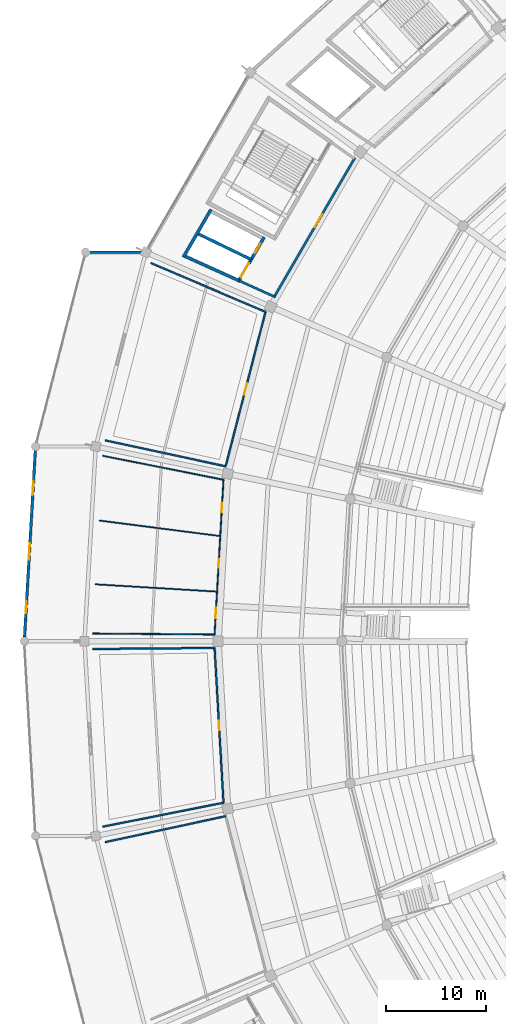
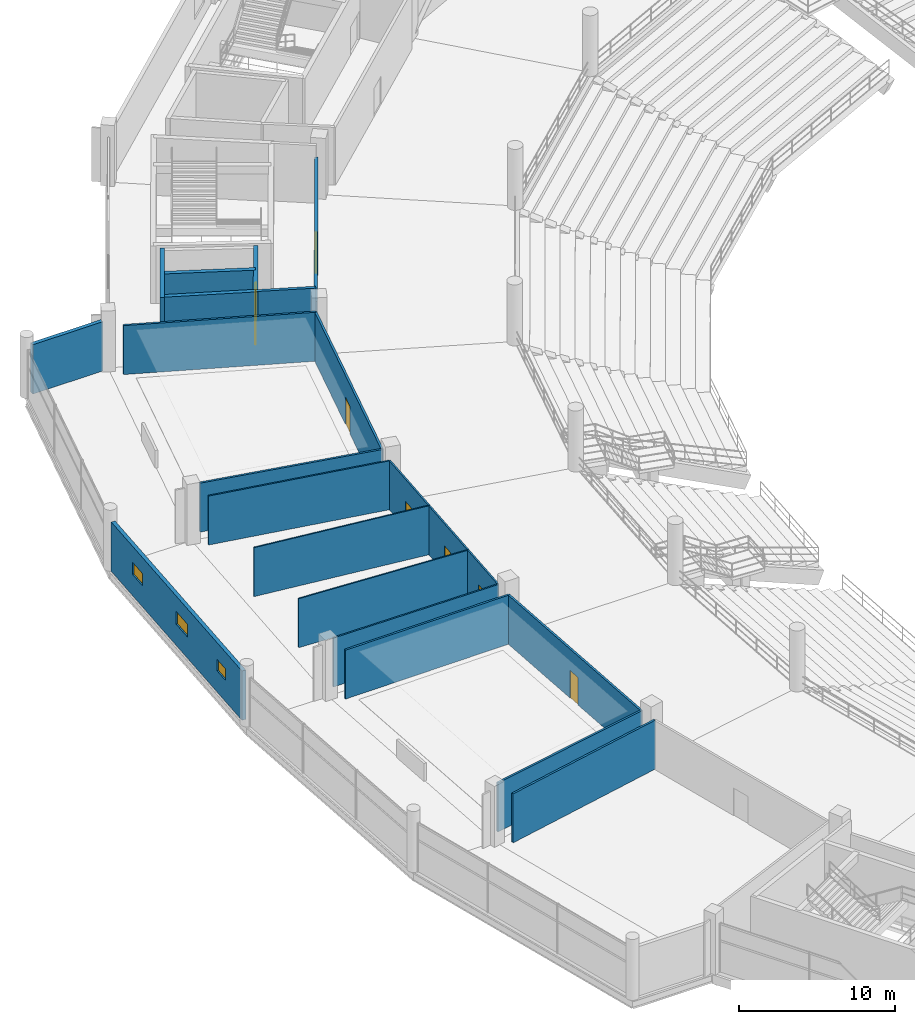
# One storey, part 103 of 156: 20 walls, 8 doors, 3 windows, 11 openings.
"""IFC4 building model written with IfcOpenShell, lengths in metres."""

import ifcopenshell
import ifcopenshell.guid

model = None  # the IFC model being written
_history = None  # IfcOwnerHistory: only IFC2X3 demands one
_inside = {}  # id of a spatial element -> (the spatial element, [elements in it])
_under = {}  # id of a project, library or spatial element -> (it, [spatial elements below it])
_declared = {}  # id of a project -> (the project, [libraries it declares])
_typed = {}  # id of a type object -> (the type object, [elements of that type])
_made_of = {}  # id of a material, layer set ... -> (it, [elements and type objects made of it])


def new_model(schema):
    """Start an empty IFC model of exactly this schema.

    Asked for "IFC4X3", IfcOpenShell would pick the latest addendum, in which some entities
    have other attributes; the version numbers below select the first issue.
    IFC2X3 requires an IfcOwnerHistory on every rooted entity: one is made here for all.
    """
    global model, _history
    if schema == "IFC4X3":
        model = ifcopenshell.file(schema_version=(4, 3, 0, 0))
    else:
        model = ifcopenshell.file(schema=schema)
    _inside.clear()
    _under.clear()
    _declared.clear()
    _typed.clear()
    _made_of.clear()
    _history = None
    if model.schema == "IFC2X3":
        org = make("IfcOrganization", Name="unknown")
        user = make(
            "IfcPersonAndOrganization",
            ThePerson=make("IfcPerson", FamilyName="unknown"),
            TheOrganization=org,
        )
        app = make(
            "IfcApplication",
            ApplicationDeveloper=org,
            Version="unknown",
            ApplicationFullName="unknown",
            ApplicationIdentifier="unknown",
        )
        _history = make(
            "IfcOwnerHistory",
            OwningUser=user,
            OwningApplication=app,
            ChangeAction="ADDED",
            CreationDate=0,
        )
    return model


def make(cls, **values):
    """One entity of the class cls with the attributes given. An attribute that is None is left unset."""
    return model.create_entity(
        cls, **{name: value for name, value in values.items() if value is not None}
    )


def rooted(cls, **values):
    """An entity with a GlobalId (a new one), such as an element, a storey or a relation."""
    return make(cls, GlobalId=ifcopenshell.guid.new(), OwnerHistory=_history, **values)


def si_unit(unit_type, name, prefix=None):
    """IfcSIUnit, for example si_unit("LENGTHUNIT", "METRE", prefix="MILLI")."""
    return make("IfcSIUnit", UnitType=unit_type, Prefix=prefix, Name=name)


def assignment(units):
    """IfcUnitAssignment: the units of a project."""
    return None if units is None else make("IfcUnitAssignment", Units=units)


def point(xyz):
    """IfcCartesianPoint."""
    return None if xyz is None else make("IfcCartesianPoint", Coordinates=xyz)


def direction(xyz):
    """IfcDirection."""
    return None if xyz is None else make("IfcDirection", DirectionRatios=xyz)


def frame(location, z_axis=None, x_axis=None):
    """IfcAxis2Placement3D, a coordinate frame: its origin and axes. An axis left out is left unset."""
    return make(
        "IfcAxis2Placement3D",
        Location=point(location),
        Axis=direction(z_axis),
        RefDirection=direction(x_axis),
    )


def frame_2d(location, x_axis=None):
    """IfcAxis2Placement2D, a coordinate frame in the plane: its origin and x axis."""
    return make(
        "IfcAxis2Placement2D", Location=point(location), RefDirection=direction(x_axis)
    )


def origin():
    """The frame at (0, 0, 0) with its axes left unset."""
    return frame((0.0, 0.0, 0.0))


def place(relative_to, where):
    """IfcLocalPlacement: puts the frame where relative to a parent placement (None: the world)."""
    return make(
        "IfcLocalPlacement", PlacementRelTo=relative_to, RelativePlacement=where
    )


def context(
    kind, dimensions, precision=None, world=None, true_north=None, identifier=None
):
    """IfcGeometricRepresentationContext, for example the 3D "Model" context."""
    return make(
        "IfcGeometricRepresentationContext",
        ContextIdentifier=identifier,
        ContextType=kind,
        CoordinateSpaceDimension=dimensions,
        Precision=precision,
        WorldCoordinateSystem=world,
        TrueNorth=true_north,
    )


def subcontext(parent, identifier, kind, view, scale=None):
    """IfcGeometricRepresentationSubContext, for example "Body" below "Model"."""
    return make(
        "IfcGeometricRepresentationSubContext",
        ContextIdentifier=identifier,
        ContextType=kind,
        ParentContext=parent,
        TargetScale=scale,
        TargetView=view,
    )


def project(units=None, contexts=None):
    """IfcProject with its units and contexts."""
    return rooted(
        "IfcProject",
        Name="project",
        RepresentationContexts=contexts,
        UnitsInContext=assignment(units),
    )


def spatial(cls, under=None, at=None, **own):
    """A site, building, storey or space (cls), placed at a placement, below another one or the project."""
    s = rooted(cls, ObjectPlacement=at, **own)
    if under is not None:
        _under.setdefault(under.id(), (under, []))[1].append(s)
    return s


def profile(cls, at=None, kind="AREA", **sizes):
    """A parametric profile (cls). Its sizes go by their IFC names, for example OverallWidth=200.0."""
    return make(cls, ProfileType=kind, Position=at, **sizes)


def rectangle(**sizes):
    """IfcRectangleProfileDef."""
    return profile("IfcRectangleProfileDef", **sizes)


def extrude(swept, where, along, depth):
    """IfcExtrudedAreaSolid: the profile swept, set in the frame where, extruded along a direction by depth."""
    return make(
        "IfcExtrudedAreaSolid",
        SweptArea=swept,
        Position=where,
        ExtrudedDirection=direction(along),
        Depth=depth,
    )


def shape(context_of_items, identifier, shape_type, items):
    """IfcShapeRepresentation: the items that make up one representation, for example the "Body"."""
    return make(
        "IfcShapeRepresentation",
        ContextOfItems=context_of_items,
        RepresentationIdentifier=identifier,
        RepresentationType=shape_type,
        Items=items,
    )


def material(Name=None, Category=None):
    """IfcMaterial."""
    return make("IfcMaterial", Name=Name, Category=Category)


def layer(
    of_material, thickness, ventilated=None, Name=None, Category=None, Priority=None
):
    """IfcMaterialLayer: one layer of a wall or slab, of a material (None: an air gap)."""
    return make(
        "IfcMaterialLayer",
        Material=of_material,
        LayerThickness=thickness,
        IsVentilated=ventilated,
        Name=Name,
        Category=Category,
        Priority=Priority,
    )


def layer_set(layers, Name=None):
    """IfcMaterialLayerSet."""
    return make("IfcMaterialLayerSet", MaterialLayers=layers, LayerSetName=Name)


def made_of(thing, what):
    """Note that an element or type object is made of a material, layer set ...; save() writes the relation."""
    if what is not None:
        _made_of.setdefault(what.id(), (what, []))[1].append(thing)
    return thing


def type_object(cls, material=None, **own):
    """A type object (cls), such as IfcWallType, which elements share."""
    return made_of(rooted(cls, **own), material)


def element(
    cls,
    number,
    at=None,
    inside=None,
    cuts=None,
    type_object=None,
    material=None,
    context=None,
    identifier="Body",
    shape_type=None,
    held_by="IfcProductDefinitionShape",
    body=None,
    shapes=None,
    **own,
):
    """One element of the class cls, such as IfcWall. Its Tag is "e" and its number.

    at: its placement. inside: the storey or other place that contains it. cuts: it is an
    opening in that element (IfcRelVoidsElement). A single representation is given by context,
    identifier, shape_type and body (its items); several are given by shapes. held_by: the class
    of the entity that holds the representations. save() writes the other relations.
    """
    e = rooted(cls, Tag="e%d" % number, ObjectPlacement=at, **own)
    if body is not None:
        shapes = [shape(context, identifier, shape_type, body)]
    if shapes is not None:
        e.Representation = make(held_by, Representations=shapes)
    if inside is not None:
        _inside.setdefault(inside.id(), (inside, []))[1].append(e)
    if cuts is not None:
        rooted(
            "IfcRelVoidsElement", RelatingBuildingElement=cuts, RelatedOpeningElement=e
        )
    if type_object is not None:
        _typed.setdefault(type_object.id(), (type_object, []))[1].append(e)
    return made_of(e, material)


def fill(opening, filler):
    """IfcRelFillsElement: the door or window that sits in an opening."""
    return rooted(
        "IfcRelFillsElement",
        RelatingOpeningElement=opening,
        RelatedBuildingElement=filler,
    )


def aggregate(whole, parts):
    """IfcRelAggregates: a whole, such as a stair, and the parts it consists of."""
    return rooted("IfcRelAggregates", RelatingObject=whole, RelatedObjects=parts)


def save(model, path):
    """Write the relations noted so far, then the file.

    IfcRelAggregates (storeys below a building ...), IfcRelContainedInSpatialStructure (elements
    in a storey), IfcRelDefinesByType, IfcRelAssociatesMaterial and IfcRelDeclares: one each for
    every whole, place, type object, material and project.
    """
    for whole, parts in _under.values():
        aggregate(whole, parts)
    for where, things in _inside.values():
        rooted(
            "IfcRelContainedInSpatialStructure",
            RelatedElements=things,
            RelatingStructure=where,
        )
    for kind, things in _typed.values():
        rooted("IfcRelDefinesByType", RelatedObjects=things, RelatingType=kind)
    for what, things in _made_of.values():
        rooted("IfcRelAssociatesMaterial", RelatedObjects=things, RelatingMaterial=what)
    for by, libraries in _declared.values():
        rooted("IfcRelDeclares", RelatingContext=by, RelatedDefinitions=libraries)
    model.write(path)


model = new_model("IFC4")

# Units and contexts
model_context = context("Model", 3, precision=1e-05, world=origin(), true_north=direction((0.0, 1.0)))
body_context = subcontext(model_context, "Body", "Model", "MODEL_VIEW")
ifc_project = project(units=[si_unit("LENGTHUNIT", "METRE"), si_unit("AREAUNIT", "SQUARE_METRE"), si_unit("VOLUMEUNIT", "CUBIC_METRE"), si_unit("PLANEANGLEUNIT", "RADIAN"), si_unit("MASSUNIT", "GRAM", prefix="KILO")], contexts=[model_context])

# Site, building, storey
site_placement = place(None, origin())
site = spatial("IfcSite", under=ifc_project, at=site_placement, CompositionType="ELEMENT")
building_placement = place(site_placement, origin())
building = spatial("IfcBuilding", under=site, at=building_placement, Name="Kazemori Nagisa Stadium", CompositionType="ELEMENT")
storey_placement = place(building_placement, frame((0.0, 0.0, 5.780029296875)))
storey = spatial("IfcBuildingStorey", under=building, at=storey_placement, Name="L01", CompositionType="ELEMENT", Elevation=5.780029296875)

# Wall
ifc_material_1 = material(Name="Concrete C40/50 (Fc42) precast", Category="concrete")
ifc_layer_1 = layer(ifc_material_1, 0.27490234375, Name="Concrete C40/50 (Fc42) precast", Category="concrete")
ifc_layer_set_1 = layer_set([ifc_layer_1], Name="Concrete C40/50 (Fc42) precast")
wall_type_1 = type_object("IfcWallType", Name="Wall_W-EXT-275", PredefinedType="SOLIDWALL", material=ifc_layer_set_1)
wall_1_placement = place(storey_placement, frame((33.675048828125, 140.74951171875, 0.0), z_axis=(0.0, 0.0, 1.0), x_axis=(-1.0, 0.0, 0.0)))
element("IfcWall", 1, at=wall_1_placement, inside=storey, type_object=wall_type_1, Name="West grandstand return wall L01-N", PredefinedType="SOLIDWALL", context=body_context, shape_type="SweptSolid", body=[
    extrude(rectangle(XDim=5.179931640625, YDim=0.27490234375, at=frame_2d((2.58984375, 0.0))), origin(), (0.0, 0.0, 1.0), 3.849853515625),
])

# Wall, openings, windows
wall_2_placement = place(storey_placement, frame((23.095458984375, 120.98828125, 0.0), z_axis=(0.0, 0.0, 1.0), x_axis=(-0.057592260431, -0.998340188282, 0.0)))
wall_2 = element("IfcWall", 2, at=wall_2_placement, inside=storey, type_object=wall_type_1, Name="Exterior facade wall L01-14", PredefinedType="SOLIDWALL", context=body_context, shape_type="SweptSolid", body=[
    extrude(rectangle(XDim=18.60986328125, YDim=0.27490234375, at=frame_2d((9.304931640625, 0.0))), origin(), (0.0, 0.0, 1.0), 3.849853515625),
])
opening_1_placement = place(wall_2_placement, frame((2.9970703125, 0.0, 1.64990234375)))
opening_1 = element("IfcOpeningElement", 3, at=opening_1_placement, cuts=wall_2, Name="Opening WIN-WC-1450", PredefinedType="OPENING", context=body_context, shape_type="SweptSolid", body=[
    extrude(rectangle(XDim=1.449951171875, YDim=0.949951171875, at=frame_2d((0.72509765625, 0.47509765625))), frame((0.0, 0.1474609375, 0.0), z_axis=(0.0, -1.0, 0.0), x_axis=(1.0, 0.0, 0.0)), (0.0, 0.0, 1.0), 0.294921875),
])
opening_2_placement = place(wall_2_placement, frame((9.22412109375, 0.0, 1.64990234375)))
opening_2 = element("IfcOpeningElement", 4, at=opening_2_placement, cuts=wall_2, Name="Opening WIN-WC-1650", PredefinedType="OPENING", context=body_context, shape_type="SweptSolid", body=[
    extrude(rectangle(XDim=1.64990234375, YDim=1.0, at=frame_2d((0.824951171875, 0.5))), frame((0.0, 0.1474609375, 0.0), z_axis=(0.0, -1.0, 0.0), x_axis=(1.0, 0.0, 0.0)), (0.0, 0.0, 1.0), 0.294921875),
])
opening_3_placement = place(wall_2_placement, frame((15.031982421875, 0.0, 1.64990234375)))
opening_3 = element("IfcOpeningElement", 5, at=opening_3_placement, cuts=wall_2, Name="Opening WIN-WC-1200", PredefinedType="OPENING", context=body_context, shape_type="SweptSolid", body=[
    extrude(rectangle(XDim=1.199951171875, YDim=0.89990234375, at=frame_2d((0.60009765625, 0.449951171875))), frame((0.0, 0.1474609375, 0.0), z_axis=(0.0, -1.0, 0.0), x_axis=(1.0, 0.0, 0.0)), (0.0, 0.0, 1.0), 0.294921875),
])
ifc_material_2 = material(Name="Low-e laminated double glazing", Category="glass")
window_type_1 = type_object("IfcWindowType", Name="Window_WIN-WC-1200", PartitioningType="SINGLE_PANEL", PredefinedType="WINDOW", material=ifc_material_2)
window_1_placement = place(opening_3_placement, origin())
window_1 = element("IfcWindow", 6, at=window_1_placement, inside=storey, type_object=window_type_1, Name="Sanitary clerestory window L01-14-3", OverallHeight=0.89990234375, OverallWidth=1.199951171875, PartitioningType="SINGLE_PANEL", PredefinedType="WINDOW", context=body_context, shape_type="SweptSolid", body=[
    extrude(rectangle(XDim=1.199951171875, YDim=0.89990234375, at=frame_2d((0.60009765625, 0.449951171875))), frame((0.0, 0.030029296875, 0.0), z_axis=(0.0, -1.0, 0.0), x_axis=(1.0, 0.0, 0.0)), (0.0, 0.0, 1.0), 0.06005859375),
])
fill(opening_3, window_1)
window_type_2 = type_object("IfcWindowType", Name="Window_WIN-WC-1450", PartitioningType="SINGLE_PANEL", PredefinedType="WINDOW", material=ifc_material_2)
window_2_placement = place(opening_1_placement, origin())
window_2 = element("IfcWindow", 7, at=window_2_placement, inside=storey, type_object=window_type_2, Name="Sanitary clerestory window L01-14-1", OverallHeight=0.949951171875, OverallWidth=1.449951171875, PartitioningType="SINGLE_PANEL", PredefinedType="WINDOW", context=body_context, shape_type="SweptSolid", body=[
    extrude(rectangle(XDim=1.449951171875, YDim=0.949951171875, at=frame_2d((0.72509765625, 0.47509765625))), frame((0.0, 0.030029296875, 0.0), z_axis=(0.0, -1.0, 0.0), x_axis=(1.0, 0.0, 0.0)), (0.0, 0.0, 1.0), 0.06005859375),
])
fill(opening_1, window_2)
window_type_3 = type_object("IfcWindowType", Name="Window_WIN-WC-1650", PartitioningType="SINGLE_PANEL", PredefinedType="WINDOW", material=ifc_material_2)
window_3_placement = place(opening_2_placement, origin())
window_3 = element("IfcWindow", 8, at=window_3_placement, inside=storey, type_object=window_type_3, Name="Sanitary clerestory window L01-14-2", OverallHeight=1.0, OverallWidth=1.64990234375, PartitioningType="SINGLE_PANEL", PredefinedType="WINDOW", context=body_context, shape_type="SweptSolid", body=[
    extrude(rectangle(XDim=1.64990234375, YDim=1.0, at=frame_2d((0.824951171875, 0.5))), frame((0.0, 0.030029296875, 0.0), z_axis=(0.0, -1.0, 0.0), x_axis=(1.0, 0.0, 0.0)), (0.0, 0.0, 1.0), 0.06005859375),
])
fill(opening_2, window_3)

# Wall, opening, door
ifc_material_3 = material(Name="Concrete C36/45 (Fc36)", Category="concrete")
ifc_layer_2 = layer(ifc_material_3, 0.219970703125, Name="Concrete C36/45 (Fc36)", Category="concrete")
ifc_layer_set_2 = layer_set([ifc_layer_2], Name="Concrete C36/45 (Fc36)")
wall_type_2 = type_object("IfcWallType", Name="Wall_W-LOBBY-220", PredefinedType="SOLIDWALL", material=ifc_layer_set_2)
wall_3_placement = place(storey_placement, frame((54.9443359375, 150.17041015625, 0.0), z_axis=(0.0, 0.0, 1.0), x_axis=(-0.501612626242, -0.865092349518, 0.0)))
wall_3 = element("IfcWall", 9, at=wall_3_placement, inside=storey, type_object=wall_type_2, Name="Core lobby fire wall ST08 L01", PredefinedType="SOLIDWALL", context=body_context, shape_type="SweptSolid", body=[
    extrude(rectangle(XDim=16.110107421875, YDim=0.219970703125, at=frame_2d((8.05517578125, 0.0))), origin(), (0.0, 0.0, 1.0), 3.447998046875),
])
opening_4_placement = place(wall_3_placement, frame((6.510986328125, 0.0, 0.0)))
opening_4 = element("IfcOpeningElement", 10, at=opening_4_placement, cuts=wall_3, Name="Opening D-FFL-1500", PredefinedType="OPENING", context=body_context, shape_type="SweptSolid", body=[
    extrude(rectangle(XDim=1.5, YDim=2.199951171875, at=frame_2d((0.75, 1.10009765625))), frame((0.0, 0.119873046875, 0.0), z_axis=(0.0, -1.0, 0.0), x_axis=(1.0, 0.0, 0.0)), (0.0, 0.0, 1.0), 0.239990234375),
])
ifc_material_4 = material(Name="Galvanised steel sheet", Category="steel")
door_type_1 = type_object("IfcDoorType", Name="Door_D-FFL-1500", OperationType="NOTDEFINED", PredefinedType="DOOR", material=ifc_material_4)
door_1_placement = place(opening_4_placement, frame((1.5, 0.0, 0.0), z_axis=(0.0, 0.0, 1.0), x_axis=(-1.0, 0.0, 0.0)))
door_1 = element("IfcDoor", 11, at=door_1_placement, inside=storey, type_object=door_type_1, Name="Protected lobby fire door ST08-L01", OperationType="DOUBLE_DOOR_SINGLE_SWING", OverallHeight=2.199951171875, OverallWidth=1.5, PredefinedType="DOOR", context=body_context, shape_type="SweptSolid", body=[
    extrude(rectangle(XDim=1.5, YDim=2.199951171875, at=frame_2d((0.75, 1.10009765625))), frame((0.0, 0.02490234375, 0.0), z_axis=(0.0, -1.0, 0.0), x_axis=(1.0, 0.0, 0.0)), (0.0, 0.0, 1.0), 0.050048828125),
])
fill(opening_4, door_1)

# Walls
wall_4_placement = place(storey_placement, frame((46.91845703125, 136.328857421875, 0.0), z_axis=(0.0, 0.0, 1.0), x_axis=(-0.91149641055, 0.411308027582, 0.0)))
element("IfcWall", 12, at=wall_4_placement, inside=storey, type_object=wall_type_2, Name="Core lobby right wall ST08 L01", PredefinedType="SOLIDWALL", context=body_context, shape_type="SweptSolid", body=[
    extrude(rectangle(XDim=3.873046875, YDim=0.219970703125, at=frame_2d((1.9365234375, 0.0))), origin(), (0.0, 0.0, 1.0), 4.5),
])
ifc_material_5 = material(Name="High-pressure phenolic compact laminate", Category="gypsum")
ifc_layer_3 = layer(ifc_material_5, 0.10009765625, Name="High-pressure phenolic compact laminate", Category="gypsum")
ifc_layer_set_3 = layer_set([ifc_layer_3], Name="High-pressure phenolic compact laminate")
wall_type_3 = type_object("IfcWallType", Name="Wall_W-PART-100", PredefinedType="PARTITIONING", material=ifc_layer_set_3)
wall_5_placement = place(storey_placement, frame((41.5244140625, 112.476806640625, 0.0), z_axis=(0.0, 0.0, 1.0), x_axis=(-0.991834687824, 0.127530200455, 0.0)))
element("IfcWall", 13, at=wall_5_placement, inside=storey, type_object=wall_type_3, Name="Sanitary divider partition L01-B14-1", PredefinedType="PARTITIONING", context=body_context, shape_type="SweptSolid", body=[
    extrude(rectangle(XDim=12.169677734375, YDim=0.10009765625, at=frame_2d((6.0849609375, 0.0))), origin(), (0.0, 0.0, 1.0), 3.820068359375),
])
wall_6_placement = place(storey_placement, frame((41.205078125, 106.94140625, 0.0), z_axis=(0.0, 0.0, 1.0), x_axis=(-0.998180767001, 0.060292258119, 0.0)))
element("IfcWall", 14, at=wall_6_placement, inside=storey, type_object=wall_type_3, Name="Sanitary divider partition L01-B14-2", PredefinedType="PARTITIONING", context=body_context, shape_type="SweptSolid", body=[
    extrude(rectangle(XDim=12.1396484375, YDim=0.10009765625, at=frame_2d((6.06982421875, 0.0))), origin(), (0.0, 0.0, 1.0), 3.820068359375),
])

# Wall, openings, doors
ifc_material_6 = material(Name="Moisture-resistant gypsum board", Category="gypsum")
ifc_layer_4 = layer(ifc_material_6, 0.114990234375, Name="Moisture-resistant gypsum board", Category="gypsum")
ifc_layer_set_4 = layer_set([ifc_layer_4], Name="Moisture-resistant gypsum board")
wall_type_4 = type_object("IfcWallType", Name="Wall_W-PART-115", PredefinedType="PARTITIONING", material=ifc_layer_set_4)
wall_7_placement = place(storey_placement, frame((41.848388671875, 118.089111328125, 0.0), z_axis=(0.0, 0.0, 1.0), x_axis=(-0.057603503798, -0.998339539611, 0.0)))
wall_7 = element("IfcWall", 15, at=wall_7_placement, inside=storey, type_object=wall_type_4, Name="Sanitary block corridor partition L01-B14", PredefinedType="PARTITIONING", context=body_context, shape_type="SweptSolid", body=[
    extrude(rectangle(XDim=15.4443359375, YDim=0.114990234375, at=frame_2d((7.72216796875, 0.0))), origin(), (0.0, 0.0, 1.0), 3.820068359375),
])
opening_5_placement = place(wall_7_placement, frame((2.330078125, 0.0, 0.0)))
opening_5 = element("IfcOpeningElement", 16, at=opening_5_placement, cuts=wall_7, Name="Opening D-WC-900", PredefinedType="OPENING", context=body_context, shape_type="SweptSolid", body=[
    extrude(rectangle(XDim=0.89990234375, YDim=2.10009765625, at=frame_2d((0.449951171875, 1.050048828125))), frame((0.0, 0.0673828125, 0.0), z_axis=(0.0, -1.0, 0.0), x_axis=(1.0, 0.0, 0.0)), (0.0, 0.0, 1.0), 0.135009765625),
])
opening_6_placement = place(wall_7_placement, frame((7.889892578125, 0.0, 0.0)))
opening_6 = element("IfcOpeningElement", 17, at=opening_6_placement, cuts=wall_7, Name="Opening D-WC-900", PredefinedType="OPENING", context=body_context, shape_type="SweptSolid", body=[
    extrude(rectangle(XDim=0.89990234375, YDim=2.10009765625, at=frame_2d((0.449951171875, 1.050048828125))), frame((0.0, 0.0673828125, 0.0), z_axis=(0.0, -1.0, 0.0), x_axis=(1.0, 0.0, 0.0)), (0.0, 0.0, 1.0), 0.135009765625),
])
opening_7_placement = place(wall_7_placement, frame((12.757080078125, 0.0, 0.0)))
opening_7 = element("IfcOpeningElement", 18, at=opening_7_placement, cuts=wall_7, Name="Opening D-AWC-1050", PredefinedType="OPENING", context=body_context, shape_type="SweptSolid", body=[
    extrude(rectangle(XDim=1.050048828125, YDim=2.10009765625, at=frame_2d((0.52490234375, 1.050048828125))), frame((0.0, 0.0673828125, 0.0), z_axis=(0.0, -1.0, 0.0), x_axis=(1.0, 0.0, 0.0)), (0.0, 0.0, 1.0), 0.135009765625),
])
ifc_material_7 = material(Name="High-pressure laminate on timber core", Category="wood")
door_type_2 = type_object("IfcDoorType", Name="Door_D-AWC-1050", OperationType="NOTDEFINED", PredefinedType="DOOR", material=ifc_material_7)
door_2_placement = place(opening_7_placement, origin())
door_2 = element("IfcDoor", 19, at=door_2_placement, inside=storey, type_object=door_type_2, Name="AWC entrance door L01-B14", OperationType="SINGLE_SWING_RIGHT", OverallHeight=2.10009765625, OverallWidth=1.050048828125, PredefinedType="DOOR", context=body_context, shape_type="SweptSolid", body=[
    extrude(rectangle(XDim=1.050048828125, YDim=2.10009765625, at=frame_2d((0.52490234375, 1.050048828125))), frame((0.0, 0.02490234375, 0.0), z_axis=(0.0, -1.0, 0.0), x_axis=(1.0, 0.0, 0.0)), (0.0, 0.0, 1.0), 0.050048828125),
])
fill(opening_7, door_2)
door_type_3 = type_object("IfcDoorType", Name="Door_D-WC-900", OperationType="NOTDEFINED", PredefinedType="DOOR", material=ifc_material_7)
door_3_placement = place(opening_5_placement, origin())
door_3 = element("IfcDoor", 20, at=door_3_placement, inside=storey, type_object=door_type_3, Name="MWC entrance door L01-B14", OperationType="SINGLE_SWING_RIGHT", OverallHeight=2.10009765625, OverallWidth=0.89990234375, PredefinedType="DOOR", context=body_context, shape_type="SweptSolid", body=[
    extrude(rectangle(XDim=0.89990234375, YDim=2.10009765625, at=frame_2d((0.449951171875, 1.050048828125))), frame((0.0, 0.02490234375, 0.0), z_axis=(0.0, -1.0, 0.0), x_axis=(1.0, 0.0, 0.0)), (0.0, 0.0, 1.0), 0.050048828125),
])
fill(opening_5, door_3)
door_4_placement = place(opening_6_placement, origin())
door_4 = element("IfcDoor", 21, at=door_4_placement, inside=storey, type_object=door_type_3, Name="FWC entrance door L01-B14", OperationType="SINGLE_SWING_LEFT", OverallHeight=2.10009765625, OverallWidth=0.89990234375, PredefinedType="DOOR", context=body_context, shape_type="SweptSolid", body=[
    extrude(rectangle(XDim=0.89990234375, YDim=2.10009765625, at=frame_2d((0.449951171875, 1.050048828125))), frame((0.0, 0.02490234375, 0.0), z_axis=(0.0, -1.0, 0.0), x_axis=(1.0, 0.0, 0.0)), (0.0, 0.0, 1.0), 0.050048828125),
])
fill(opening_6, door_4)

# Walls
wall_8_placement = place(storey_placement, frame((41.848388671875, 118.089111328125, 0.0), z_axis=(0.0, 0.0, 1.0), x_axis=(-0.980904167784, 0.194491680088, 0.0)))
element("IfcWall", 22, at=wall_8_placement, inside=storey, type_object=wall_type_4, Name="Sanitary block L partition L01-B14", PredefinedType="PARTITIONING", context=body_context, shape_type="SweptSolid", body=[
    extrude(rectangle(XDim=12.256591796875, YDim=0.114990234375, at=frame_2d((6.12841796875, 0.0))), origin(), (0.0, 0.0, 1.0), 3.820068359375),
])
wall_9_placement = place(storey_placement, frame((40.958740234375, 102.67041015625, 0.0), z_axis=(0.0, 0.0, 1.0), x_axis=(-0.999966583768, 0.008175044183, 0.0)))
element("IfcWall", 23, at=wall_9_placement, inside=storey, type_object=wall_type_4, Name="Sanitary block R partition L01-B14", PredefinedType="PARTITIONING", context=body_context, shape_type="SweptSolid", body=[
    extrude(rectangle(XDim=12.15478515625, YDim=0.114990234375, at=frame_2d((6.077392578125, 0.0))), origin(), (0.0, 0.0, 1.0), 3.820068359375),
])

# Wall, opening, door
ifc_layer_5 = layer(ifc_material_6, 0.14990234375, Name="Moisture-resistant gypsum board", Category="gypsum")
ifc_layer_set_5 = layer_set([ifc_layer_5], Name="Moisture-resistant gypsum board")
wall_type_5 = type_object("IfcWallType", Name="Wall_W-PART-150", PredefinedType="PARTITIONING", material=ifc_layer_set_5)
wall_10_placement = place(storey_placement, frame((46.03076171875, 134.810791015625, 0.0), z_axis=(0.0, 0.0, 1.0), x_axis=(-0.249970043824, -0.968253570709, 0.0)))
wall_10 = element("IfcWall", 24, at=wall_10_placement, inside=storey, type_object=wall_type_5, Name="Room corridor partition L01-B13", PredefinedType="PARTITIONING", context=body_context, shape_type="SweptSolid", body=[
    extrude(rectangle(XDim=15.88671875, YDim=0.14990234375, at=frame_2d((7.943359375, 0.0))), origin(), (0.0, 0.0, 1.0), 3.820068359375),
])
opening_8_placement = place(wall_10_placement, frame((7.35302734375, 0.0, 0.0)))
opening_8 = element("IfcOpeningElement", 25, at=opening_8_placement, cuts=wall_10, Name="Opening D-FAD-1180", PredefinedType="OPENING", context=body_context, shape_type="SweptSolid", body=[
    extrude(rectangle(XDim=1.179931640625, YDim=2.14990234375, at=frame_2d((0.58984375, 1.074951171875))), frame((0.0, 0.0849609375, 0.0), z_axis=(0.0, -1.0, 0.0), x_axis=(1.0, 0.0, 0.0)), (0.0, 0.0, 1.0), 0.169921875),
])
door_type_4 = type_object("IfcDoorType", Name="Door_D-FAD-1180", OperationType="NOTDEFINED", PredefinedType="DOOR", material=ifc_material_7)
door_5_placement = place(opening_8_placement, origin())
door_5 = element("IfcDoor", 26, at=door_5_placement, inside=storey, type_object=door_type_4, Name="Room entrance door D-FAD-1180 L01-B13", OperationType="SINGLE_SWING_LEFT", OverallHeight=2.14990234375, OverallWidth=1.179931640625, PredefinedType="DOOR", context=body_context, shape_type="SweptSolid", body=[
    extrude(rectangle(XDim=1.179931640625, YDim=2.14990234375, at=frame_2d((0.58984375, 1.074951171875))), frame((0.0, 0.02490234375, 0.0), z_axis=(0.0, -1.0, 0.0), x_axis=(1.0, 0.0, 0.0)), (0.0, 0.0, 1.0), 0.050048828125),
])
fill(opening_8, door_5)

# Walls
wall_11_placement = place(storey_placement, frame((46.03076171875, 134.810791015625, 0.0), z_axis=(0.0, 0.0, 1.0), x_axis=(-0.919905328402, 0.392140519173, 0.0)))
element("IfcWall", 27, at=wall_11_placement, inside=storey, type_object=wall_type_5, Name="Room radial partition L01-B13-L", PredefinedType="PARTITIONING", context=body_context, shape_type="SweptSolid", body=[
    extrude(rectangle(XDim=12.395751953125, YDim=0.14990234375, at=frame_2d((6.19775390625, 0.0))), origin(), (0.0, 0.0, 1.0), 3.820068359375),
])
wall_12_placement = place(storey_placement, frame((42.0595703125, 119.428466796875, 0.0), z_axis=(0.0, 0.0, 1.0), x_axis=(-0.97759337709, 0.210502230558, 0.0)))
element("IfcWall", 28, at=wall_12_placement, inside=storey, type_object=wall_type_5, Name="Room radial partition L01-B13-R", PredefinedType="PARTITIONING", context=body_context, shape_type="SweptSolid", body=[
    extrude(rectangle(XDim=12.26611328125, YDim=0.14990234375, at=frame_2d((6.133056640625, 0.0))), origin(), (0.0, 0.0, 1.0), 3.820068359375),
])

# Wall, opening, door
wall_13_placement = place(storey_placement, frame((40.958740234375, 101.32958984375, 0.0), z_axis=(0.0, 0.0, 1.0), x_axis=(0.057603503798, -0.998339539611, 0.0)))
wall_13 = element("IfcWall", 29, at=wall_13_placement, inside=storey, type_object=wall_type_5, Name="Room corridor partition L01-B15", PredefinedType="PARTITIONING", context=body_context, shape_type="SweptSolid", body=[
    extrude(rectangle(XDim=15.4443359375, YDim=0.14990234375, at=frame_2d((7.72216796875, 0.0))), origin(), (0.0, 0.0, 1.0), 3.820068359375),
])
opening_9_placement = place(wall_13_placement, frame((7.2470703125, 0.0, 0.0)))
opening_9 = element("IfcOpeningElement", 30, at=opening_9_placement, cuts=wall_13, Name="Opening D-OFF-950", PredefinedType="OPENING", context=body_context, shape_type="SweptSolid", body=[
    extrude(rectangle(XDim=0.949951171875, YDim=2.14990234375, at=frame_2d((0.47509765625, 1.074951171875))), frame((0.0, 0.0849609375, 0.0), z_axis=(0.0, -1.0, 0.0), x_axis=(1.0, 0.0, 0.0)), (0.0, 0.0, 1.0), 0.169921875),
])
ifc_material_8 = material(Name="Oak timber veneer", Category="wood")
door_type_5 = type_object("IfcDoorType", Name="Door_D-OFF-950", OperationType="NOTDEFINED", PredefinedType="DOOR", material=ifc_material_8)
door_6_placement = place(opening_9_placement, origin())
door_6 = element("IfcDoor", 31, at=door_6_placement, inside=storey, type_object=door_type_5, Name="Room entrance door D-OFF-950 L01-B15", OperationType="SINGLE_SWING_LEFT", OverallHeight=2.14990234375, OverallWidth=0.949951171875, PredefinedType="DOOR", context=body_context, shape_type="SweptSolid", body=[
    extrude(rectangle(XDim=0.949951171875, YDim=2.14990234375, at=frame_2d((0.47509765625, 1.074951171875))), frame((0.0, 0.02490234375, 0.0), z_axis=(0.0, -1.0, 0.0), x_axis=(1.0, 0.0, 0.0)), (0.0, 0.0, 1.0), 0.050048828125),
])
fill(opening_9, door_6)

# Walls
wall_14_placement = place(storey_placement, frame((40.958740234375, 101.32958984375, 0.0), z_axis=(0.0, 0.0, 1.0), x_axis=(-0.999966583768, -0.008175044183, 0.0)))
element("IfcWall", 32, at=wall_14_placement, inside=storey, type_object=wall_type_5, Name="Room radial partition L01-B15-L", PredefinedType="PARTITIONING", context=body_context, shape_type="SweptSolid", body=[
    extrude(rectangle(XDim=12.15478515625, YDim=0.14990234375, at=frame_2d((6.077392578125, 0.0))), origin(), (0.0, 0.0, 1.0), 3.820068359375),
])
wall_15_placement = place(storey_placement, frame((41.848388671875, 85.910888671875, 0.0), z_axis=(0.0, 0.0, 1.0), x_axis=(-0.980904167784, -0.194491680088, 0.0)))
element("IfcWall", 33, at=wall_15_placement, inside=storey, type_object=wall_type_5, Name="Room radial partition L01-B15-R", PredefinedType="PARTITIONING", context=body_context, shape_type="SweptSolid", body=[
    extrude(rectangle(XDim=12.256591796875, YDim=0.14990234375, at=frame_2d((6.12841796875, 0.0))), origin(), (0.0, 0.0, 1.0), 3.820068359375),
])
wall_16_placement = place(storey_placement, frame((42.0595703125, 84.571533203125, 0.0), z_axis=(0.0, 0.0, 1.0), x_axis=(-0.97759337709, -0.210502230558, 0.0)))
element("IfcWall", 34, at=wall_16_placement, inside=storey, type_object=wall_type_5, Name="Room radial partition L01-B16-L", PredefinedType="PARTITIONING", context=body_context, shape_type="SweptSolid", body=[
    extrude(rectangle(XDim=12.26611328125, YDim=0.14990234375, at=frame_2d((6.133056640625, 0.0))), origin(), (0.0, 0.0, 1.0), 3.820068359375),
])

# Wall, openings, doors
ifc_material_9 = material(Name="Concrete C40/50 (Fc42)", Category="concrete")
ifc_layer_6 = layer(ifc_material_9, 0.300048828125, Name="Concrete C40/50 (Fc42)", Category="concrete")
ifc_layer_set_6 = layer_set([ifc_layer_6], Name="Concrete C40/50 (Fc42)")
wall_type_6 = type_object("IfcWallType", Name="Wall_W-SHAFT-300", PredefinedType="SHEAR", material=ifc_layer_set_6)
wall_17_placement = place(storey_placement, frame((45.89990234375, 142.253662109375, 0.0), z_axis=(0.0, 0.0, 1.0), x_axis=(-0.501629534056, -0.86508254552, 0.0)))
wall_17 = element("IfcWall", 35, at=wall_17_placement, inside=storey, type_object=wall_type_6, Name="Lift shaft front wall LP6 L01", PredefinedType="SHEAR", context=body_context, shape_type="SweptSolid", body=[
    extrude(rectangle(XDim=5.157470703125, YDim=0.300048828125, at=frame_2d((2.57861328125, 0.0))), origin(), (0.0, 0.0, 1.0), 4.5),
])
opening_10_placement = place(wall_17_placement, frame((0.76611328125, 0.0, 0.0)))
opening_10 = element("IfcOpeningElement", 36, at=opening_10_placement, cuts=wall_17, Name="Opening LD-PAX", PredefinedType="OPENING", context=body_context, shape_type="SweptSolid", body=[
    extrude(rectangle(XDim=1.10009765625, YDim=2.199951171875, at=frame_2d((0.550048828125, 1.10009765625))), frame((0.0, 0.159912109375, 0.0), z_axis=(0.0, -1.0, 0.0), x_axis=(1.0, 0.0, 0.0)), (0.0, 0.0, 1.0), 0.320068359375),
])
opening_11_placement = place(wall_17_placement, frame((3.0419921875, 0.0, 0.0)))
opening_11 = element("IfcOpeningElement", 37, at=opening_11_placement, cuts=wall_17, Name="Opening LD-GDS", PredefinedType="OPENING", context=body_context, shape_type="SweptSolid", body=[
    extrude(rectangle(XDim=1.60009765625, YDim=2.300048828125, at=frame_2d((0.800048828125, 1.14990234375))), frame((0.0, 0.159912109375, 0.0), z_axis=(0.0, -1.0, 0.0), x_axis=(1.0, 0.0, 0.0)), (0.0, 0.0, 1.0), 0.320068359375),
])
ifc_material_10 = material(Name="Stainless steel SUS304", Category="steel")
door_type_6 = type_object("IfcDoorType", Name="Door_LD-GDS", OperationType="SLIDING_TO_LEFT", PredefinedType="DOOR", material=ifc_material_10)
door_7_placement = place(opening_11_placement, origin())
door_7 = element("IfcDoor", 38, at=door_7_placement, inside=storey, type_object=door_type_6, Name="Lift landing door LG1-L01", OperationType="SLIDING_TO_LEFT", OverallHeight=2.300048828125, OverallWidth=1.60009765625, PredefinedType="DOOR", context=body_context, shape_type="SweptSolid", body=[
    extrude(rectangle(XDim=1.60009765625, YDim=2.300048828125, at=frame_2d((0.800048828125, 1.14990234375))), frame((0.0, 0.02490234375, 0.0), z_axis=(0.0, -1.0, 0.0), x_axis=(1.0, 0.0, 0.0)), (0.0, 0.0, 1.0), 0.050048828125),
])
fill(opening_11, door_7)
door_type_7 = type_object("IfcDoorType", Name="Door_LD-PAX", OperationType="SLIDING_TO_RIGHT", PredefinedType="DOOR", material=ifc_material_10)
door_8_placement = place(opening_10_placement, origin())
door_8 = element("IfcDoor", 39, at=door_8_placement, inside=storey, type_object=door_type_7, Name="Lift landing door LP6-L01", OperationType="SLIDING_TO_RIGHT", OverallHeight=2.199951171875, OverallWidth=1.10009765625, PredefinedType="DOOR", context=body_context, shape_type="SweptSolid", body=[
    extrude(rectangle(XDim=1.10009765625, YDim=2.199951171875, at=frame_2d((0.550048828125, 1.10009765625))), frame((0.0, 0.02490234375, 0.0), z_axis=(0.0, -1.0, 0.0), x_axis=(1.0, 0.0, 0.0)), (0.0, 0.0, 1.0), 0.050048828125),
])
fill(opening_10, door_8)

# Walls
wall_18_placement = place(storey_placement, frame((40.59521484375, 145.01171875, 0.0), z_axis=(0.0, 0.0, 1.0), x_axis=(-0.501630260479, -0.865082124293, 0.0)))
element("IfcWall", 40, at=wall_18_placement, inside=storey, type_object=wall_type_6, Name="Lift shaft B wall LP6 L01", PredefinedType="SHEAR", context=body_context, shape_type="SweptSolid", body=[
    extrude(rectangle(XDim=5.491455078125, YDim=0.300048828125, at=frame_2d((2.74560546875, 0.0))), origin(), (0.0, 0.0, 1.0), 4.5),
])
wall_19_placement = place(storey_placement, frame((43.38818359375, 137.921875, 0.0), z_axis=(0.0, 0.0, 1.0), x_axis=(-0.911521602376, 0.41125219562, 0.0)))
element("IfcWall", 41, at=wall_19_placement, inside=storey, type_object=wall_type_6, Name="Lift shaft R wall LP6 L01", PredefinedType="SHEAR", context=body_context, shape_type="SweptSolid", body=[
    extrude(rectangle(XDim=6.003662109375, YDim=0.300048828125, at=frame_2d((3.001953125, 0.0))), origin(), (0.0, 0.0, 1.0), 4.5),
])
wall_20_placement = place(storey_placement, frame((44.6064453125, 140.02294921875, 0.0), z_axis=(0.0, 0.0, 1.0), x_axis=(-0.899759302591, 0.436386522936, 0.0)))
element("IfcWall", 42, at=wall_20_placement, inside=storey, type_object=wall_type_6, Name="Lift shaft divider wall LP6-LG1 L01", PredefinedType="SHEAR", context=body_context, shape_type="SweptSolid", body=[
    extrude(rectangle(XDim=5.989013671875, YDim=0.300048828125, at=frame_2d((2.99462890625, 0.0))), origin(), (0.0, 0.0, 1.0), 4.5),
])

save(model, "model.ifc")
